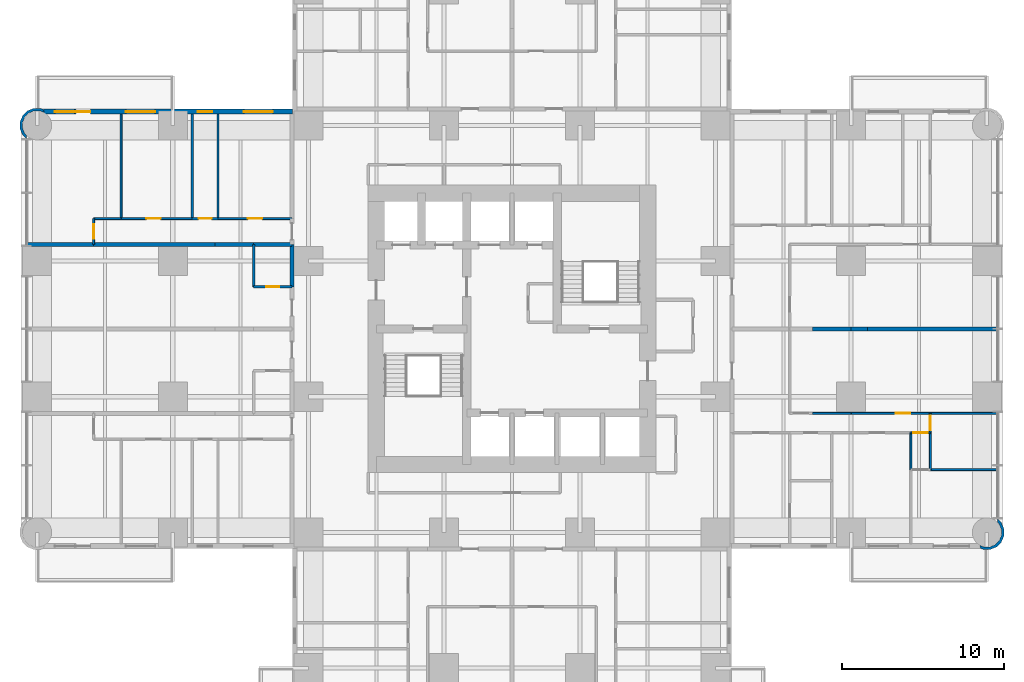
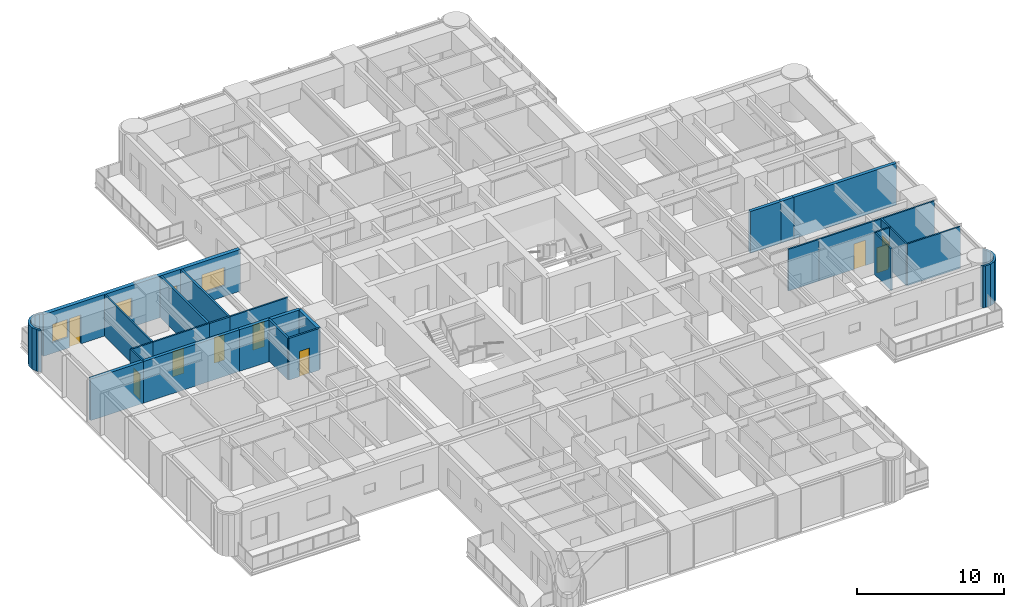
# One storey, part 11 of 17: 29 walls, 9 doors, 4 windows, 13 openings.
"""IFC4 building model written with IfcOpenShell, lengths in metres."""

from ifc_helpers import new_model, si_unit, direction, frame, frame_2d, origin, place, context, subcontext, project, spatial, polyline, rectangle, outline, extrude, material, layer, layer_set, type_object, element, fill, save


model = new_model("IFC4")

# Units and contexts
model_context = context("Model", 3, precision=1e-05, world=origin(), true_north=direction((0.0, 1.0)))
body_context = subcontext(model_context, "Body", "Model", "MODEL_VIEW")
ifc_project = project(units=[si_unit("LENGTHUNIT", "METRE"), si_unit("AREAUNIT", "SQUARE_METRE"), si_unit("VOLUMEUNIT", "CUBIC_METRE"), si_unit("PLANEANGLEUNIT", "RADIAN"), si_unit("MASSUNIT", "GRAM", prefix="KILO")], contexts=[model_context])

# Site, building, storey
site_placement = place(None, origin())
site = spatial("IfcSite", under=ifc_project, at=site_placement, CompositionType="ELEMENT")
building_placement = place(site_placement, origin())
building = spatial("IfcBuilding", under=site, at=building_placement, Name="Torre Alcanfor", CompositionType="ELEMENT")
storey_placement = place(building_placement, frame((0.0, 0.0, 81.300048828125)))
storey = spatial("IfcBuildingStorey", under=building, at=storey_placement, Name="L20", CompositionType="ELEMENT", Elevation=81.300048828125)

# Walls
ifc_material_1 = material(Name="Concrete block masonry, hollow blocks NMX-C-404 9 MPa", Category="masonry")
ifc_layer_1 = layer(ifc_material_1, 0.25)
ifc_layer_set_1 = layer_set([ifc_layer_1], Name="Apartment entrance wall 250 EI 60")
wall_type_1 = type_object("IfcWallType", Name="Apartment entrance wall 250 EI 60", PredefinedType="PARTITIONING", material=ifc_layer_set_1)
wall_1_placement = place(storey_placement, frame((15.77490234375, 32.0, 0.0), z_axis=(0.0, 0.0, 1.0), x_axis=(0.0, 1.0, 0.0)))
element("IfcWall", 1, at=wall_1_placement, inside=storey, type_object=wall_type_1, Name="Partition L20-CORR / L20-W2A-BATH", PredefinedType="PARTITIONING", context=body_context, shape_type="SweptSolid", body=[
    extrude(rectangle(XDim=2.62890625, YDim=0.25, at=frame_2d((1.314453125, 0.0))), origin(), (0.0, 0.0, 1.0), 3.449951171875),
])
ifc_material_2 = material(Name="Gypsum board on steel studs", Category="steel")
ifc_layer_2 = layer(ifc_material_2, 0.1201171875)
ifc_layer_set_2 = layer_set([ifc_layer_2], Name="Apartment partition 120")
wall_type_2 = type_object("IfcWallType", Name="Apartment partition 120", PredefinedType="PARTITIONING", material=ifc_layer_set_2)
wall_2_placement = place(storey_placement, frame((50.39990234375, 24.1708984375, 0.0), z_axis=(0.0, 0.0, 1.0), x_axis=(-1.0, 0.0, 0.0)))
element("IfcWall", 2, at=wall_2_placement, inside=storey, type_object=wall_type_2, Name="Partition L20-E2-KITCHEN / L20-E2-HALL", PredefinedType="PARTITIONING", context=body_context, shape_type="SweptSolid", body=[
    extrude(rectangle(XDim=2.39990234375, YDim=0.1201171875, at=frame_2d((1.199951171875, 0.0))), origin(), (0.0, 0.0, 1.0), 3.449951171875),
])

# Wall, opening, door
wall_3_placement = place(storey_placement, frame((55.300048828125, 24.1708984375, 0.0), z_axis=(0.0, 0.0, 1.0), x_axis=(-1.0, 0.0, 0.0)))
wall_3 = element("IfcWall", 3, at=wall_3_placement, inside=storey, type_object=wall_type_2, Name="Partition L20-E2-LIVING / L20-E2-HALL", PredefinedType="PARTITIONING", context=body_context, shape_type="SweptSolid", body=[
    extrude(rectangle(XDim=4.900146484375, YDim=0.1201171875, at=frame_2d((2.4501953125, 0.0))), origin(), (0.0, 0.0, 1.0), 3.449951171875),
])
opening_1_placement = place(wall_3_placement, frame((1.25, 0.0, 0.0)))
opening_1 = element("IfcOpeningElement", 4, at=opening_1_placement, cuts=wall_3, Name="Opening D-R1", PredefinedType="OPENING", context=body_context, shape_type="SweptSolid", body=[
    extrude(rectangle(XDim=0.89990234375, YDim=2.10009765625, at=frame_2d((0.449951171875, 1.050048828125))), frame((0.0, 0.070068359375, 0.0), z_axis=(0.0, -1.0, 0.0), x_axis=(1.0, 0.0, 0.0)), (0.0, 0.0, 1.0), 0.14013671875),
])
ifc_material_3 = material(Name="Timber", Category="wood")
door_type_1 = type_object("IfcDoorType", Name="Internal door 900x2100", OperationType="SINGLE_SWING_LEFT", PredefinedType="DOOR", material=ifc_material_3)
door_1_placement = place(opening_1_placement, frame((0.89990234375, 0.0, 0.0), z_axis=(0.0, 0.0, 1.0), x_axis=(-1.0, 0.0, 0.0)))
door_1 = element("IfcDoor", 5, at=door_1_placement, inside=storey, type_object=door_type_1, Name="Door L20-E2 living", OperationType="SINGLE_SWING_LEFT", OverallHeight=2.10009765625, OverallWidth=0.89990234375, PredefinedType="DOOR", context=body_context, shape_type="SweptSolid", body=[
    extrude(rectangle(XDim=0.89990234375, YDim=2.10009765625, at=frame_2d((0.449951171875, 1.050048828125))), frame((0.0, 0.025146484375, 0.0), z_axis=(0.0, -1.0, 0.0), x_axis=(1.0, 0.0, 0.0)), (0.0, 0.0, 1.0), 0.050048828125),
])
fill(opening_1, door_1)

# Wall
wall_4_placement = place(storey_placement, frame((59.449951171875, 24.1708984375, 0.0), z_axis=(0.0, 0.0, 1.0), x_axis=(-1.0, 0.0, 0.0)))
element("IfcWall", 6, at=wall_4_placement, inside=storey, type_object=wall_type_2, Name="Partition L20-E2-LIVING / L20-E2-BED2", PredefinedType="PARTITIONING", context=body_context, shape_type="SweptSolid", body=[
    extrude(rectangle(XDim=4.14990234375, YDim=0.1201171875, at=frame_2d((2.074951171875, 0.0))), origin(), (0.0, 0.0, 1.0), 3.449951171875),
])

# Wall, opening, door
wall_5_placement = place(storey_placement, frame((55.300048828125, 22.970947265625, 0.0), z_axis=(0.0, 0.0, 1.0), x_axis=(-1.0, 0.0, 0.0)))
wall_5 = element("IfcWall", 7, at=wall_5_placement, inside=storey, type_object=wall_type_2, Name="Partition L20-E2-HALL / L20-E2-VEST", PredefinedType="PARTITIONING", context=body_context, shape_type="SweptSolid", body=[
    extrude(rectangle(XDim=1.199951171875, YDim=0.1201171875, at=frame_2d((0.60009765625, 0.0))), origin(), (0.0, 0.0, 1.0), 3.449951171875),
])
opening_2_placement = place(wall_5_placement, frame((0.14990234375, 0.0, 0.0)))
opening_2 = element("IfcOpeningElement", 8, at=opening_2_placement, cuts=wall_5, Name="Opening D-R1", PredefinedType="OPENING", context=body_context, shape_type="SweptSolid", body=[
    extrude(rectangle(XDim=0.89990234375, YDim=2.10009765625, at=frame_2d((0.449951171875, 1.050048828125))), frame((0.0, 0.070068359375, 0.0), z_axis=(0.0, -1.0, 0.0), x_axis=(1.0, 0.0, 0.0)), (0.0, 0.0, 1.0), 0.14013671875),
])
door_2_placement = place(opening_2_placement, origin())
door_2 = element("IfcDoor", 9, at=door_2_placement, inside=storey, type_object=door_type_1, Name="Door L20-E2 vest", OperationType="SINGLE_SWING_LEFT", OverallHeight=2.10009765625, OverallWidth=0.89990234375, PredefinedType="DOOR", context=body_context, shape_type="SweptSolid", body=[
    extrude(rectangle(XDim=0.89990234375, YDim=2.10009765625, at=frame_2d((0.449951171875, 1.050048828125))), frame((0.0, 0.02490234375, 0.0), z_axis=(0.0, -1.0, 0.0), x_axis=(1.0, 0.0, 0.0)), (0.0, 0.0, 1.0), 0.050048828125),
])
fill(opening_2, door_2)

wall_6_placement = place(storey_placement, frame((55.300048828125, 24.1708984375, 0.0), z_axis=(0.0, 0.0, 1.0), x_axis=(0.0, -1.0, 0.0)))
wall_6 = element("IfcWall", 10, at=wall_6_placement, inside=storey, type_object=wall_type_2, Name="Partition L20-E2-HALL / L20-E2-BED2", PredefinedType="PARTITIONING", context=body_context, shape_type="SweptSolid", body=[
    extrude(rectangle(XDim=1.199951171875, YDim=0.1201171875, at=frame_2d((0.60009765625, 0.0))), origin(), (0.0, 0.0, 1.0), 3.449951171875),
])
opening_3_placement = place(wall_6_placement, frame((0.15087890625, 0.0, 0.0)))
opening_3 = element("IfcOpeningElement", 11, at=opening_3_placement, cuts=wall_6, Name="Opening D-R1", PredefinedType="OPENING", context=body_context, shape_type="SweptSolid", body=[
    extrude(rectangle(XDim=0.89990234375, YDim=2.10009765625, at=frame_2d((0.449951171875, 1.050048828125))), frame((0.0, 0.070068359375, 0.0), z_axis=(0.0, -1.0, 0.0), x_axis=(1.0, 0.0, 0.0)), (0.0, 0.0, 1.0), 0.14013671875),
])
door_3_placement = place(opening_3_placement, origin())
door_3 = element("IfcDoor", 12, at=door_3_placement, inside=storey, type_object=door_type_1, Name="Door L20-E2 bed2", OperationType="SINGLE_SWING_LEFT", OverallHeight=2.10009765625, OverallWidth=0.89990234375, PredefinedType="DOOR", context=body_context, shape_type="SweptSolid", body=[
    extrude(rectangle(XDim=0.89990234375, YDim=2.10009765625, at=frame_2d((0.449951171875, 1.050048828125))), frame((0.0, 0.02490234375, 0.0), z_axis=(0.0, -1.0, 0.0), x_axis=(1.0, 0.0, 0.0)), (0.0, 0.0, 1.0), 0.050048828125),
])
fill(opening_3, door_3)

# Walls
for number, where, z_axis, x_axis, name in (
    (13, (54.10009765625, 22.970947265625, 0.0), (0.0, 0.0, 1.0), (0.0, -1.0, 0.0), "Partition L20-E2-BED3 / L20-E2-VEST"),
    (14, (55.300048828125, 22.970947265625, 0.0), (0.0, 0.0, 1.0), (0.0, -1.0, 0.0), "Partition L20-E2-VEST / L20-E2-BED2"),
):
    element("IfcWall", number, at=place(storey_placement, frame(where, z_axis=z_axis, x_axis=x_axis)), inside=storey, type_object=wall_type_2, Name=name, PredefinedType="PARTITIONING", context=body_context, shape_type="SweptSolid", body=[
        extrude(rectangle(XDim=2.284912109375, YDim=0.1201171875, at=frame_2d((1.142578125, 0.0))), origin(), (0.0, 0.0, 1.0), 3.449951171875),
    ])
wall_7_placement = place(storey_placement, frame((59.449951171875, 20.68603515625, 0.0), z_axis=(0.0, 0.0, 1.0), x_axis=(-1.0, 0.0, 0.0)))
element("IfcWall", 15, at=wall_7_placement, inside=storey, type_object=wall_type_2, Name="Partition L20-E2-BED2 / L20-E2-MASTER", PredefinedType="PARTITIONING", context=body_context, shape_type="SweptSolid", body=[
    extrude(rectangle(XDim=4.14990234375, YDim=0.1201171875, at=frame_2d((2.074951171875, 0.0))), origin(), (0.0, 0.0, 1.0), 3.449951171875),
])

# Wall, opening, door
wall_8_placement = place(storey_placement, frame((11.199951171875, 36.22900390625, 0.0), z_axis=(0.0, 0.0, 1.0), x_axis=(1.0, 0.0, 0.0)))
wall_8 = element("IfcWall", 16, at=wall_8_placement, inside=storey, type_object=wall_type_2, Name="Partition L20-W2B-HALL / L20-W2B-MASTER", PredefinedType="PARTITIONING", context=body_context, shape_type="SweptSolid", body=[
    extrude(rectangle(XDim=4.574951171875, YDim=0.1201171875, at=frame_2d((2.28759765625, 0.0))), origin(), (0.0, 0.0, 1.0), 3.449951171875),
])
opening_4_placement = place(wall_8_placement, frame((1.85009765625, 0.0, 0.0)))
opening_4 = element("IfcOpeningElement", 17, at=opening_4_placement, cuts=wall_8, Name="Opening D-R1", PredefinedType="OPENING", context=body_context, shape_type="SweptSolid", body=[
    extrude(rectangle(XDim=0.89990234375, YDim=2.10009765625, at=frame_2d((0.449951171875, 1.050048828125))), frame((0.0, 0.070068359375, 0.0), z_axis=(0.0, -1.0, 0.0), x_axis=(1.0, 0.0, 0.0)), (0.0, 0.0, 1.0), 0.14013671875),
])
door_4_placement = place(opening_4_placement, origin())
door_4 = element("IfcDoor", 18, at=door_4_placement, inside=storey, type_object=door_type_1, Name="Door L20-W2B master", OperationType="SINGLE_SWING_RIGHT", OverallHeight=2.10009765625, OverallWidth=0.89990234375, PredefinedType="DOOR", context=body_context, shape_type="SweptSolid", body=[
    extrude(rectangle(XDim=0.89990234375, YDim=2.10009765625, at=frame_2d((0.449951171875, 1.050048828125))), frame((0.0, 0.02490234375, 0.0), z_axis=(0.0, -1.0, 0.0), x_axis=(1.0, 0.0, 0.0)), (0.0, 0.0, 1.0), 0.050048828125),
])
fill(opening_4, door_4)

wall_9_placement = place(storey_placement, frame((5.199951171875, 36.22900390625, 0.0), z_axis=(0.0, 0.0, 1.0), x_axis=(1.0, 0.0, 0.0)))
wall_9 = element("IfcWall", 19, at=wall_9_placement, inside=storey, type_object=wall_type_2, Name="Partition L20-W2B-HALL / L20-W2B-STUDY", PredefinedType="PARTITIONING", context=body_context, shape_type="SweptSolid", body=[
    extrude(rectangle(XDim=4.400146484375, YDim=0.1201171875, at=frame_2d((2.2001953125, 0.0))), origin(), (0.0, 0.0, 1.0), 3.449951171875),
])
opening_5_placement = place(wall_9_placement, frame((1.550048828125, 0.0, 0.0)))
opening_5 = element("IfcOpeningElement", 20, at=opening_5_placement, cuts=wall_9, Name="Opening D-R1", PredefinedType="OPENING", context=body_context, shape_type="SweptSolid", body=[
    extrude(rectangle(XDim=0.89990234375, YDim=2.10009765625, at=frame_2d((0.449951171875, 1.050048828125))), frame((0.0, 0.070068359375, 0.0), z_axis=(0.0, -1.0, 0.0), x_axis=(1.0, 0.0, 0.0)), (0.0, 0.0, 1.0), 0.14013671875),
])
door_5_placement = place(opening_5_placement, origin())
door_5 = element("IfcDoor", 21, at=door_5_placement, inside=storey, type_object=door_type_1, Name="Door L20-W2B study", OperationType="SINGLE_SWING_LEFT", OverallHeight=2.10009765625, OverallWidth=0.89990234375, PredefinedType="DOOR", context=body_context, shape_type="SweptSolid", body=[
    extrude(rectangle(XDim=0.89990234375, YDim=2.10009765625, at=frame_2d((0.449951171875, 1.050048828125))), frame((0.0, 0.02490234375, 0.0), z_axis=(0.0, -1.0, 0.0), x_axis=(1.0, 0.0, 0.0)), (0.0, 0.0, 1.0), 0.050048828125),
])
fill(opening_5, door_5)

# Wall
wall_10_placement = place(storey_placement, frame((3.5, 36.22900390625, 0.0), z_axis=(0.0, 0.0, 1.0), x_axis=(1.0, 0.0, 0.0)))
element("IfcWall", 22, at=wall_10_placement, inside=storey, type_object=wall_type_2, Name="Partition L20-W2B-HALL / L20-W2B-KITCHEN", PredefinedType="PARTITIONING", context=body_context, shape_type="SweptSolid", body=[
    extrude(rectangle(XDim=1.699951171875, YDim=0.1201171875, at=frame_2d((0.85009765625, 0.0))), origin(), (0.0, 0.0, 1.0), 3.449951171875),
])

# Wall, opening, door
wall_11_placement = place(storey_placement, frame((3.5, 34.62890625, 0.0), z_axis=(0.0, 0.0, 1.0), x_axis=(0.0, 1.0, 0.0)))
wall_11 = element("IfcWall", 23, at=wall_11_placement, inside=storey, type_object=wall_type_2, Name="Partition L20-W2B-HALL / L20-W2B-LIVING", PredefinedType="PARTITIONING", context=body_context, shape_type="SweptSolid", body=[
    extrude(rectangle(XDim=1.60009765625, YDim=0.1201171875, at=frame_2d((0.800048828125, 0.0))), origin(), (0.0, 0.0, 1.0), 3.449951171875),
])
opening_6_placement = place(wall_11_placement, frame((0.35009765625, 0.0, 0.0)))
opening_6 = element("IfcOpeningElement", 24, at=opening_6_placement, cuts=wall_11, Name="Opening D-R1", PredefinedType="OPENING", context=body_context, shape_type="SweptSolid", body=[
    extrude(rectangle(XDim=0.89990234375, YDim=2.10009765625, at=frame_2d((0.449951171875, 1.050048828125))), frame((0.0, 0.070068359375, 0.0), z_axis=(0.0, -1.0, 0.0), x_axis=(1.0, 0.0, 0.0)), (0.0, 0.0, 1.0), 0.14013671875),
])
door_6_placement = place(opening_6_placement, origin())
door_6 = element("IfcDoor", 25, at=door_6_placement, inside=storey, type_object=door_type_1, Name="Door L20-W2B living", OperationType="SINGLE_SWING_LEFT", OverallHeight=2.10009765625, OverallWidth=0.89990234375, PredefinedType="DOOR", context=body_context, shape_type="SweptSolid", body=[
    extrude(rectangle(XDim=0.89990234375, YDim=2.10009765625, at=frame_2d((0.449951171875, 1.050048828125))), frame((0.0, 0.02490234375, 0.0), z_axis=(0.0, -1.0, 0.0), x_axis=(1.0, 0.0, 0.0)), (0.0, 0.0, 1.0), 0.050048828125),
])
fill(opening_6, door_6)

# Wall
wall_12_placement = place(storey_placement, frame((5.199951171875, 36.22900390625, 0.0), z_axis=(0.0, 0.0, 1.0), x_axis=(0.0, 1.0, 0.0)))
element("IfcWall", 26, at=wall_12_placement, inside=storey, type_object=wall_type_2, Name="Partition L20-W2B-STUDY / L20-W2B-KITCHEN", PredefinedType="PARTITIONING", context=body_context, shape_type="SweptSolid", body=[
    extrude(rectangle(XDim=6.470947265625, YDim=0.1201171875, at=frame_2d((3.2353515625, 0.0))), origin(), (0.0, 0.0, 1.0), 3.449951171875),
])

# Wall, openings, door, windows
ifc_material_4 = material(Name="Limestone cladding", Category="masonry")
ifc_layer_3 = layer(ifc_material_4, 0.0400390625, Name="Facing")
ifc_material_5 = material(Name="Ventilated air cavity")
ifc_layer_4 = layer(ifc_material_5, 0.02001953125, ventilated=True, Name="Ventilated joint")
ifc_material_6 = material(Name="Mineral wool insulation", Category="insulation")
ifc_layer_5 = layer(ifc_material_6, 0.10009765625, Name="Insulation")
ifc_material_7 = material(Name="Concrete f'c 35 MPa", Category="concrete")
ifc_layer_6 = layer(ifc_material_7, 0.139892578125, Name="Backing")
ifc_layer_set_3 = layer_set([ifc_layer_3, ifc_layer_4, ifc_layer_5, ifc_layer_6], Name="External wall stone-clad 300")
wall_type_3 = type_object("IfcWallType", Name="External wall stone-clad 300", PredefinedType="SOLIDWALL", material=ifc_layer_set_3)
wall_13_placement = place(storey_placement, frame((15.800048828125, 42.85009765625, 0.0), z_axis=(0.0, 0.0, 1.0), x_axis=(-1.0, 0.0, 0.0)))
wall_13 = element("IfcWall", 27, at=wall_13_placement, inside=storey, type_object=wall_type_3, Name="External wall L20 1", PredefinedType="SOLIDWALL", context=body_context, shape_type="SweptSolid", body=[
    extrude(rectangle(XDim=15.400146484375, YDim=0.300048828125, at=frame_2d((7.7001953125, 0.0))), origin(), (0.0, 0.0, 1.0), 3.449951171875),
])
opening_7_placement = place(wall_13_placement, frame((1.199951171875, 0.0, 0.89990234375)))
opening_7 = element("IfcOpeningElement", 28, at=opening_7_placement, cuts=wall_13, Name="Opening W2", PredefinedType="OPENING", context=body_context, shape_type="SweptSolid", body=[
    extrude(rectangle(XDim=1.800048828125, YDim=1.5, at=frame_2d((0.89990234375, 0.75))), frame((0.0, 0.159912109375, 0.0), z_axis=(0.0, -1.0, 0.0), x_axis=(1.0, 0.0, 0.0)), (0.0, 0.0, 1.0), 0.320068359375),
])
opening_8_placement = place(wall_13_placement, frame((4.949951171875, 0.0, 1.5)))
opening_8 = element("IfcOpeningElement", 29, at=opening_8_placement, cuts=wall_13, Name="Opening W3", PredefinedType="OPENING", context=body_context, shape_type="SweptSolid", body=[
    extrude(rectangle(XDim=0.89990234375, YDim=0.699951171875, at=frame_2d((0.449951171875, 0.35009765625))), frame((0.0, 0.159912109375, 0.0), z_axis=(0.0, -1.0, 0.0), x_axis=(1.0, 0.0, 0.0)), (0.0, 0.0, 1.0), 0.320068359375),
])
opening_9_placement = place(wall_13_placement, frame((8.5, 0.0, 0.89990234375)))
opening_9 = element("IfcOpeningElement", 30, at=opening_9_placement, cuts=wall_13, Name="Opening W2", PredefinedType="OPENING", context=body_context, shape_type="SweptSolid", body=[
    extrude(rectangle(XDim=1.800048828125, YDim=1.5, at=frame_2d((0.89990234375, 0.75))), frame((0.0, 0.159912109375, 0.0), z_axis=(0.0, -1.0, 0.0), x_axis=(1.0, 0.0, 0.0)), (0.0, 0.0, 1.0), 0.320068359375),
])
opening_10_placement = place(wall_13_placement, frame((12.5, 0.0, 0.0)))
opening_10 = element("IfcOpeningElement", 31, at=opening_10_placement, cuts=wall_13, Name="Opening D-B1", PredefinedType="OPENING", context=body_context, shape_type="SweptSolid", body=[
    extrude(rectangle(XDim=0.89990234375, YDim=2.39990234375, at=frame_2d((0.449951171875, 1.199951171875))), frame((0.0, 0.159912109375, 0.0), z_axis=(0.0, -1.0, 0.0), x_axis=(1.0, 0.0, 0.0)), (0.0, 0.0, 1.0), 0.320068359375),
])
opening_11_placement = place(wall_13_placement, frame((13.5, 0.0, 0.89990234375)))
opening_11 = element("IfcOpeningElement", 32, at=opening_11_placement, cuts=wall_13, Name="Opening W4", PredefinedType="OPENING", context=body_context, shape_type="SweptSolid", body=[
    extrude(rectangle(XDim=1.199951171875, YDim=1.5, at=frame_2d((0.60009765625, 0.75))), frame((0.0, 0.159912109375, 0.0), z_axis=(0.0, -1.0, 0.0), x_axis=(1.0, 0.0, 0.0)), (0.0, 0.0, 1.0), 0.320068359375),
])
ifc_material_8 = material(Name="Aluminium and glass", Category="aluminium")
door_type_2 = type_object("IfcDoorType", Name="Balcony door glazed 900x2400", OperationType="SINGLE_SWING_LEFT", PredefinedType="DOOR", material=ifc_material_8)
door_7_placement = place(opening_10_placement, origin())
door_7 = element("IfcDoor", 33, at=door_7_placement, inside=storey, type_object=door_type_2, Name="Balcony door L20-W2", OperationType="SINGLE_SWING_LEFT", OverallHeight=2.39990234375, OverallWidth=0.89990234375, PredefinedType="DOOR", context=body_context, shape_type="SweptSolid", body=[
    extrude(rectangle(XDim=0.89990234375, YDim=2.39990234375, at=frame_2d((0.449951171875, 1.199951171875))), frame((0.0, 0.02490234375, 0.0), z_axis=(0.0, -1.0, 0.0), x_axis=(1.0, 0.0, 0.0)), (0.0, 0.0, 1.0), 0.050048828125),
])
fill(opening_10, door_7)
ifc_material_9 = material(Name="Aluminium frame with clear double glazing", Category="aluminium")
window_type_1 = type_object("IfcWindowType", Name="Window bathroom 900x700", PartitioningType="SINGLE_PANEL", PredefinedType="WINDOW", material=ifc_material_9)
window_1_placement = place(opening_8_placement, origin())
window_1 = element("IfcWindow", 34, at=window_1_placement, inside=storey, type_object=window_type_1, Name="Window W3 L20-W2", OverallHeight=0.699951171875, OverallWidth=0.89990234375, PartitioningType="SINGLE_PANEL", PredefinedType="WINDOW", context=body_context, shape_type="SweptSolid", body=[
    extrude(rectangle(XDim=0.89990234375, YDim=0.699951171875, at=frame_2d((0.449951171875, 0.35009765625))), frame((0.0, 0.030029296875, 0.0), z_axis=(0.0, -1.0, 0.0), x_axis=(1.0, 0.0, 0.0)), (0.0, 0.0, 1.0), 0.06005859375),
])
fill(opening_8, window_1)
ifc_material_10 = material(Name="Aluminium frame with clear double glazing", Category="aluminium")
window_type_2 = type_object("IfcWindowType", Name="Window bedroom 1200x1500", PartitioningType="SINGLE_PANEL", PredefinedType="WINDOW", material=ifc_material_10)
window_2_placement = place(opening_11_placement, origin())
window_2 = element("IfcWindow", 35, at=window_2_placement, inside=storey, type_object=window_type_2, Name="Window W4 L20-W2", OverallHeight=1.5, OverallWidth=1.199951171875, PartitioningType="SINGLE_PANEL", PredefinedType="WINDOW", context=body_context, shape_type="SweptSolid", body=[
    extrude(rectangle(XDim=1.199951171875, YDim=1.5, at=frame_2d((0.60009765625, 0.75))), frame((0.0, 0.030029296875, 0.0), z_axis=(0.0, -1.0, 0.0), x_axis=(1.0, 0.0, 0.0)), (0.0, 0.0, 1.0), 0.06005859375),
])
fill(opening_11, window_2)
ifc_material_11 = material(Name="Aluminium frame with clear double glazing", Category="aluminium")
window_type_3 = type_object("IfcWindowType", Name="Window bedroom 1800x1500", PartitioningType="SINGLE_PANEL", PredefinedType="WINDOW", material=ifc_material_11)
window_3_placement = place(opening_7_placement, origin())
window_3 = element("IfcWindow", 36, at=window_3_placement, inside=storey, type_object=window_type_3, Name="Window W2 L20-W2", OverallHeight=1.5, OverallWidth=1.800048828125, PartitioningType="SINGLE_PANEL", PredefinedType="WINDOW", context=body_context, shape_type="SweptSolid", body=[
    extrude(rectangle(XDim=1.800048828125, YDim=1.5, at=frame_2d((0.89990234375, 0.75))), frame((0.0, 0.030029296875, 0.0), z_axis=(0.0, -1.0, 0.0), x_axis=(1.0, 0.0, 0.0)), (0.0, 0.0, 1.0), 0.06005859375),
])
fill(opening_7, window_3)
window_4_placement = place(opening_9_placement, origin())
window_4 = element("IfcWindow", 37, at=window_4_placement, inside=storey, type_object=window_type_3, Name="Window W2 L20-W2", OverallHeight=1.5, OverallWidth=1.800048828125, PartitioningType="SINGLE_PANEL", PredefinedType="WINDOW", context=body_context, shape_type="SweptSolid", body=[
    extrude(rectangle(XDim=1.800048828125, YDim=1.5, at=frame_2d((0.89990234375, 0.75))), frame((0.0, 0.030029296875, 0.0), z_axis=(0.0, -1.0, 0.0), x_axis=(1.0, 0.0, 0.0)), (0.0, 0.0, 1.0), 0.06005859375),
])
fill(opening_9, window_4)

# Walls
ifc_material_12 = material(Name="Concrete block masonry, hollow blocks NMX-C-404 9 MPa", Category="masonry")
ifc_layer_7 = layer(ifc_material_12, 0.25)
ifc_layer_set_4 = layer_set([ifc_layer_7], Name="Party wall 250 EI 60")
wall_type_4 = type_object("IfcWallType", Name="Party wall 250 EI 60", PredefinedType="PARTITIONING", material=ifc_layer_set_4)
wall_14_placement = place(storey_placement, frame((48.0, 29.39990234375, 0.0), z_axis=(0.0, 0.0, 1.0), x_axis=(1.0, 0.0, 0.0)))
element("IfcWall", 38, at=wall_14_placement, inside=storey, type_object=wall_type_4, Name="Partition L20-E1-KITCHEN / L20-E2-KITCHEN", PredefinedType="PARTITIONING", context=body_context, shape_type="SweptSolid", body=[
    extrude(rectangle(XDim=2.39990234375, YDim=0.25, at=frame_2d((1.199951171875, 0.0))), origin(), (0.0, 0.0, 1.0), 3.449951171875),
])
wall_15_placement = place(storey_placement, frame((50.39990234375, 29.39990234375, 0.0), z_axis=(0.0, 0.0, 1.0), x_axis=(1.0, 0.0, 0.0)))
element("IfcWall", 39, at=wall_15_placement, inside=storey, type_object=wall_type_4, Name="Partition L20-E1-KITCHEN / L20-E2-LIVING", PredefinedType="PARTITIONING", context=body_context, shape_type="SweptSolid", body=[
    extrude(rectangle(XDim=1.0, YDim=0.25, at=frame_2d((0.5, 0.0))), origin(), (0.0, 0.0, 1.0), 3.449951171875),
])
wall_16_placement = place(storey_placement, frame((51.39990234375, 29.39990234375, 0.0), z_axis=(0.0, 0.0, 1.0), x_axis=(1.0, 0.0, 0.0)))
element("IfcWall", 40, at=wall_16_placement, inside=storey, type_object=wall_type_4, Name="Partition L20-E1-LIVING / L20-E2-LIVING", PredefinedType="PARTITIONING", context=body_context, shape_type="SweptSolid", body=[
    extrude(rectangle(XDim=8.050048828125, YDim=0.25, at=frame_2d((4.02490234375, 0.0))), origin(), (0.0, 0.0, 1.0), 3.449951171875),
])
wall_17_placement = place(storey_placement, frame((13.39990234375, 34.62890625, 0.0), z_axis=(0.0, 0.0, 1.0), x_axis=(1.0, 0.0, 0.0)))
element("IfcWall", 41, at=wall_17_placement, inside=storey, type_object=wall_type_4, Name="Partition L20-W2A-BATH / L20-W2B-HALL", PredefinedType="PARTITIONING", context=body_context, shape_type="SweptSolid", body=[
    extrude(rectangle(XDim=2.375, YDim=0.25, at=frame_2d((1.1875, 0.0))), origin(), (0.0, 0.0, 1.0), 3.449951171875),
])
wall_18_placement = place(storey_placement, frame((11.0, 34.62890625, 0.0), z_axis=(0.0, 0.0, 1.0), x_axis=(1.0, 0.0, 0.0)))
element("IfcWall", 42, at=wall_18_placement, inside=storey, type_object=wall_type_4, Name="Partition L20-W2A-KITCHEN / L20-W2B-HALL", PredefinedType="PARTITIONING", context=body_context, shape_type="SweptSolid", body=[
    extrude(rectangle(XDim=2.39990234375, YDim=0.25, at=frame_2d((1.199951171875, 0.0))), origin(), (0.0, 0.0, 1.0), 3.449951171875),
])
wall_19_placement = place(storey_placement, frame((3.5, 34.62890625, 0.0), z_axis=(0.0, 0.0, 1.0), x_axis=(1.0, 0.0, 0.0)))
element("IfcWall", 43, at=wall_19_placement, inside=storey, type_object=wall_type_4, Name="Partition L20-W2A-STUDIO / L20-W2B-HALL", PredefinedType="PARTITIONING", context=body_context, shape_type="SweptSolid", body=[
    extrude(rectangle(XDim=7.5, YDim=0.25, at=frame_2d((3.75, 0.0))), origin(), (0.0, 0.0, 1.0), 3.449951171875),
])
wall_20_placement = place(storey_placement, frame((-0.64990234375, 34.62890625, 0.0), z_axis=(0.0, 0.0, 1.0), x_axis=(1.0, 0.0, 0.0)))
element("IfcWall", 44, at=wall_20_placement, inside=storey, type_object=wall_type_4, Name="Partition L20-W2A-STUDIO / L20-W2B-LIVING", PredefinedType="PARTITIONING", context=body_context, shape_type="SweptSolid", body=[
    extrude(rectangle(XDim=4.14990234375, YDim=0.25, at=frame_2d((2.074951171875, 0.0))), origin(), (0.0, 0.0, 1.0), 3.449951171875),
])
ifc_layer_8 = layer(ifc_material_4, 0.0400390625, Name="Facing")
ifc_layer_9 = layer(ifc_material_5, 0.02001953125, ventilated=True, Name="Ventilated joint")
ifc_layer_10 = layer(ifc_material_6, 0.10009765625, Name="Insulation")
ifc_layer_11 = layer(ifc_material_7, 0.139892578125, Name="Backing")
ifc_layer_set_5 = layer_set([ifc_layer_8, ifc_layer_9, ifc_layer_10, ifc_layer_11], Name="Rounded corner pier stone-clad 300")
wall_type_5 = type_object("IfcWallType", Name="Rounded corner pier stone-clad 300", PredefinedType="SOLIDWALL", material=ifc_layer_set_5)
wall_21_placement = place(storey_placement, frame((0.363962863, 42.909907157, 0.0), z_axis=(0.0, 0.0, 1.0), x_axis=(-0.926129809145, 0.377204953059, 0.0)))
element("IfcWall", 45, at=wall_21_placement, inside=storey, type_object=wall_type_5, Name="Corner pier L20 13", PredefinedType="SOLIDWALL", context=body_context, shape_type="SweptSolid", body=[
    extrude(outline(polyline([(0.36027248147905344, 1.8032799323574271), (0.5087783723473315, 1.740921099842025), (0.7605913470133172, 1.4857584601095954), (0.8957810128069955, 1.1538349835897281), (0.8939031559639274, 0.7953461823991875), (0.7547957339381889, 0.4650577343600455), (0.4996330942057594, 0.21324475969405968), (0.1677096176858921, 0.07805509390038129), (-0.09992182078970525, 0.07950523369113624), (0.0006988421670046999, -0.09699421764222865), (0.0300177129428464, -0.08030783699434613), (0.19858532179107968, -0.08124570553990346), (0.5888441232034033, 0.0777034519259609), (0.8888369702307105, 0.374136779300854), (1.052603126025944, 0.7629734686109036), (1.0550818122472803, 1.1847106876949156), (0.8961326547814159, 1.5749694891072394), (0.7776866026168303, 1.6949130219751851), (0.7691400347446393, 1.7275471706587737), (0.7502646662372825, 1.7227591424871238), (0.599699327406523, 1.8749623361345464), (0.2945484394782597, 2.0034825844222954), (0.2809820848521072, 1.9979571212427172), (0.36027248147905344, 1.8032799323574271)])), origin(), (0.0, 0.0, 1.0), 3.449951171875),
])
wall_22_placement = place(storey_placement, frame((58.436037137, 15.890092843, 0.0), z_axis=(0.0, 0.0, 1.0), x_axis=(0.926129809145, -0.377204953059, 0.0)))
element("IfcWall", 46, at=wall_22_placement, inside=storey, type_object=wall_type_5, Name="Corner pier L20 17", PredefinedType="SOLIDWALL", context=body_context, shape_type="SweptSolid", body=[
    extrude(outline(polyline([(0.769166837716128, 1.7276108100514604), (0.7500653632983351, 1.7227306908268178), (0.5995000244675756, 1.8749338844742405), (0.2945752424497483, 2.003546223814982), (0.2810088878235957, 1.9980207606354041), (0.36029928445054193, 1.803343571750114), (0.5086711604613772, 1.740666542271283), (0.7606181499848057, 1.4858220995022824), (0.8958078157784841, 1.153898622982415), (0.8937038530249802, 0.7953177307388815), (0.7545964309992416, 0.4650292826997394), (0.49975198823024103, 0.21308229317631072), (0.16782851171037358, 0.07789262738263233), (-0.0998950178182167, 0.07956887308382314), (0.0004995392280573718, -0.09702266930253471), (0.03004451591433495, -0.08024419760165923), (0.19838601885213236, -0.08127415720020953), (0.5888709261748919, 0.07776709131864781), (0.888863773202199, 0.37420041869354087), (1.0524038230869968, 0.7629450169505976), (1.0552007062717619, 1.1845482211771667), (0.8961594577529046, 1.5750331284999262), (0.777713405588319, 1.694976661367872), (0.769166837716128, 1.7276108100514604)])), origin(), (0.0, 0.0, 1.0), 3.449951171875),
])

# Wall, opening, door
ifc_material_13 = material(Name="Cement board on steel studs", Category="steel")
ifc_layer_12 = layer(ifc_material_13, 0.14990234375)
ifc_layer_set_6 = layer_set([ifc_layer_12], Name="Wet area partition 150")
wall_type_6 = type_object("IfcWallType", Name="Wet area partition 150", PredefinedType="PARTITIONING", material=ifc_layer_set_6)
wall_23_placement = place(storey_placement, frame((13.39990234375, 32.0, 0.0), z_axis=(0.0, 0.0, 1.0), x_axis=(1.0, 0.0, 0.0)))
wall_23 = element("IfcWall", 47, at=wall_23_placement, inside=storey, type_object=wall_type_6, Name="Partition L20-W2A-FOYER / L20-W2A-BATH", PredefinedType="PARTITIONING", context=body_context, shape_type="SweptSolid", body=[
    extrude(rectangle(XDim=2.375, YDim=0.14990234375, at=frame_2d((1.1875, 0.0))), origin(), (0.0, 0.0, 1.0), 3.449951171875),
])
opening_12_placement = place(wall_23_placement, frame((0.800048828125, 0.0, 0.0)))
opening_12 = element("IfcOpeningElement", 48, at=opening_12_placement, cuts=wall_23, Name="Opening D-R2", PredefinedType="OPENING", context=body_context, shape_type="SweptSolid", body=[
    extrude(rectangle(XDim=0.800048828125, YDim=2.10009765625, at=frame_2d((0.39990234375, 1.050048828125))), frame((0.0, 0.0849609375, 0.0), z_axis=(0.0, -1.0, 0.0), x_axis=(1.0, 0.0, 0.0)), (0.0, 0.0, 1.0), 0.169921875),
])
ifc_material_14 = material(Name="Timber", Category="wood")
door_type_3 = type_object("IfcDoorType", Name="Bathroom door 800x2100", OperationType="SINGLE_SWING_LEFT", PredefinedType="DOOR", material=ifc_material_14)
door_8_placement = place(opening_12_placement, origin())
door_8 = element("IfcDoor", 49, at=door_8_placement, inside=storey, type_object=door_type_3, Name="Door L20-W2A bath", OperationType="SINGLE_SWING_RIGHT", OverallHeight=2.10009765625, OverallWidth=0.800048828125, PredefinedType="DOOR", context=body_context, shape_type="SweptSolid", body=[
    extrude(rectangle(XDim=0.800048828125, YDim=2.10009765625, at=frame_2d((0.39990234375, 1.050048828125))), frame((0.0, 0.02490234375, 0.0), z_axis=(0.0, -1.0, 0.0), x_axis=(1.0, 0.0, 0.0)), (0.0, 0.0, 1.0), 0.050048828125),
])
fill(opening_12, door_8)

# Wall
wall_24_placement = place(storey_placement, frame((13.39990234375, 32.0, 0.0), z_axis=(0.0, 0.0, 1.0), x_axis=(0.0, 1.0, 0.0)))
element("IfcWall", 50, at=wall_24_placement, inside=storey, type_object=wall_type_6, Name="Partition L20-W2A-BATH / L20-W2A-KITCHEN", PredefinedType="PARTITIONING", context=body_context, shape_type="SweptSolid", body=[
    extrude(rectangle(XDim=2.62890625, YDim=0.14990234375, at=frame_2d((1.314453125, 0.0))), origin(), (0.0, 0.0, 1.0), 3.449951171875),
])

# Wall, opening, door
wall_25_placement = place(storey_placement, frame((9.60009765625, 36.22900390625, 0.0), z_axis=(0.0, 0.0, 1.0), x_axis=(1.0, 0.0, 0.0)))
wall_25 = element("IfcWall", 51, at=wall_25_placement, inside=storey, type_object=wall_type_6, Name="Partition L20-W2B-HALL / L20-W2B-BATH", PredefinedType="PARTITIONING", context=body_context, shape_type="SweptSolid", body=[
    extrude(rectangle(XDim=1.599853515625, YDim=0.14990234375, at=frame_2d((0.7998046875, 0.0))), origin(), (0.0, 0.0, 1.0), 3.449951171875),
])
opening_13_placement = place(wall_25_placement, frame((0.39990234375, 0.0, 0.0)))
opening_13 = element("IfcOpeningElement", 52, at=opening_13_placement, cuts=wall_25, Name="Opening D-R2", PredefinedType="OPENING", context=body_context, shape_type="SweptSolid", body=[
    extrude(rectangle(XDim=0.800048828125, YDim=2.10009765625, at=frame_2d((0.39990234375, 1.050048828125))), frame((0.0, 0.0849609375, 0.0), z_axis=(0.0, -1.0, 0.0), x_axis=(1.0, 0.0, 0.0)), (0.0, 0.0, 1.0), 0.169921875),
])
door_9_placement = place(opening_13_placement, origin())
door_9 = element("IfcDoor", 53, at=door_9_placement, inside=storey, type_object=door_type_3, Name="Door L20-W2B bath", OperationType="SINGLE_SWING_LEFT", OverallHeight=2.10009765625, OverallWidth=0.800048828125, PredefinedType="DOOR", context=body_context, shape_type="SweptSolid", body=[
    extrude(rectangle(XDim=0.800048828125, YDim=2.10009765625, at=frame_2d((0.39990234375, 1.050048828125))), frame((0.0, 0.02490234375, 0.0), z_axis=(0.0, -1.0, 0.0), x_axis=(1.0, 0.0, 0.0)), (0.0, 0.0, 1.0), 0.050048828125),
])
fill(opening_13, door_9)

# Walls
for number, where, z_axis, x_axis, name in (
    (54, (11.199951171875, 36.22900390625, 0.0), (0.0, 0.0, 1.0), (0.0, 1.0, 0.0), "Partition L20-W2B-MASTER / L20-W2B-BATH"),
    (55, (9.60009765625, 36.22900390625, 0.0), (0.0, 0.0, 1.0), (0.0, 1.0, 0.0), "Partition L20-W2B-BATH / L20-W2B-STUDY"),
):
    element("IfcWall", number, at=place(storey_placement, frame(where, z_axis=z_axis, x_axis=x_axis)), inside=storey, type_object=wall_type_6, Name=name, PredefinedType="PARTITIONING", context=body_context, shape_type="SweptSolid", body=[
        extrude(rectangle(XDim=6.470947265625, YDim=0.14990234375, at=frame_2d((3.2353515625, 0.0))), origin(), (0.0, 0.0, 1.0), 3.449951171875),
    ])

save(model, "model.ifc")
